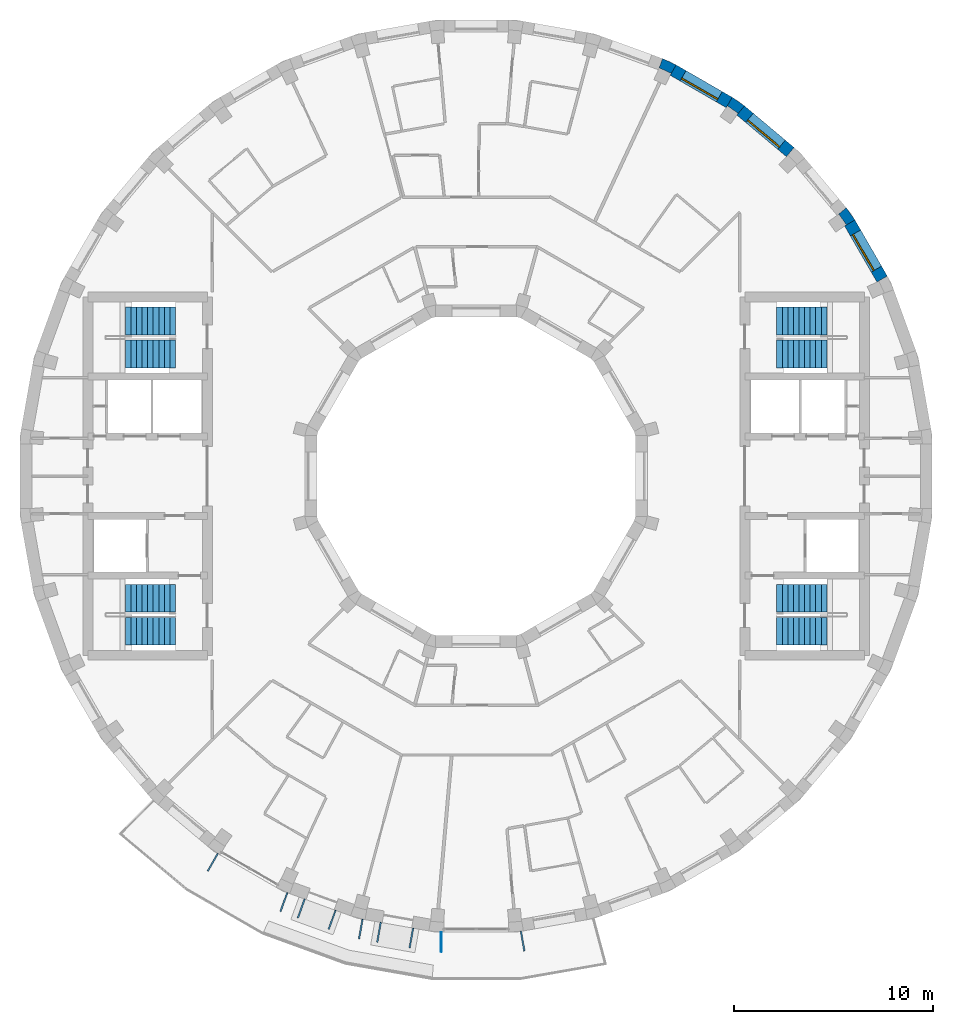
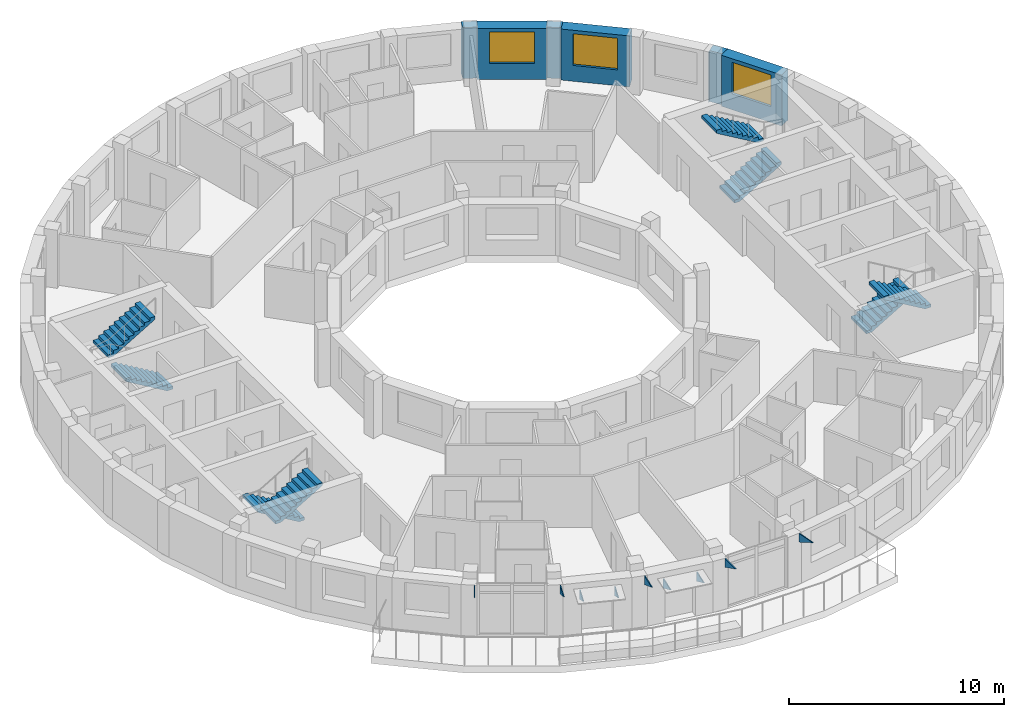
# One storey, part 11 of 12: 9 discrete accessories, 8 stair flights, 6 walls, 3 windows, 3 openings, 4 elements without a shape of their own.
"""IFC4 building model written with IfcOpenShell, lengths in metres."""

from ifc_helpers import new_model, si_unit, direction, frame, frame_2d, origin, place, context, subcontext, project, spatial, polyline, rectangle, outline, extrude, material, layer, layer_set, type_object, element, fill, aggregate, save


model = new_model("IFC4")

# Units and contexts
model_context = context("Model", 3, precision=1e-05, world=origin(), true_north=direction((0.0, 1.0)))
body_context = subcontext(model_context, "Body", "Model", "MODEL_VIEW")
ifc_project = project(units=[si_unit("LENGTHUNIT", "METRE"), si_unit("AREAUNIT", "SQUARE_METRE"), si_unit("VOLUMEUNIT", "CUBIC_METRE"), si_unit("PLANEANGLEUNIT", "RADIAN"), si_unit("MASSUNIT", "GRAM", prefix="KILO")], contexts=[model_context])

# Site, building, storey
site_placement = place(None, origin())
site = spatial("IfcSite", under=ifc_project, at=site_placement, CompositionType="ELEMENT")
building_placement = place(site_placement, origin())
building = spatial("IfcBuilding", under=site, at=building_placement, Name="Saqina Gate Tower", CompositionType="ELEMENT")
storey_placement = place(building_placement, frame((0.0, 0.0, 269.300048828125)))
storey = spatial("IfcBuildingStorey", under=building, at=storey_placement, Name="L77", CompositionType="ELEMENT", Elevation=269.300048828125)

# Walls
ifc_material_1 = material(Name="Brick masonry (buff)", Category="masonry")
wall_type_1 = type_object("IfcWallType", Name="BRICK PIER COPING BUFF", PredefinedType="SOLIDWALL", material=ifc_material_1)
wall_1_placement = place(storey_placement, origin())
element("IfcWall", 1, at=wall_1_placement, inside=storey, type_object=wall_type_1, Name="Pier cap L77 column 4", PredefinedType="SOLIDWALL", context=body_context, shape_type="SweptSolid", body=[
    extrude(outline(polyline([(19.02978515625, 12.8642578125), (18.59716796875, 13.482421875), (18.137451171875, 13.0966796875), (18.22412109375, 13.157470703125), (18.596923828125, 12.625), (18.51025390625, 12.564208984375), (19.02978515625, 12.8642578125)])), origin(), (0.0, 0.0, 1.0), 2.89990234375),
])
wall_2_placement = place(storey_placement, origin())
element("IfcWall", 2, at=wall_2_placement, inside=storey, type_object=wall_type_1, Name="Pier cap L77 column 6", PredefinedType="SOLIDWALL", context=body_context, shape_type="SweptSolid", body=[
    extrude(outline(polyline([(12.8642578125, 19.02978515625), (12.564208984375, 18.51025390625), (12.625, 18.596923828125), (13.157470703125, 18.22412109375), (13.0966796875, 18.137451171875), (13.482421875, 18.59716796875), (12.8642578125, 19.02978515625)])), origin(), (0.0, 0.0, 1.0), 2.89990234375),
])
wall_3_placement = place(storey_placement, origin())
element("IfcWall", 3, at=wall_3_placement, inside=storey, type_object=wall_type_1, Name="Pier cap L77 column 7", PredefinedType="SOLIDWALL", context=body_context, shape_type="SweptSolid", body=[
    extrude(outline(polyline([(10.048095703125, 20.65576171875), (9.3642578125, 20.974609375), (9.1591796875, 20.410888671875), (9.203857421875, 20.506591796875), (9.79296875, 20.23193359375), (9.748291015625, 20.135986328125), (10.048095703125, 20.65576171875)])), origin(), (0.0, 0.0, 1.0), 2.89990234375),
])

# Wall, opening, window
ifc_material_2 = material(Name="Brick masonry (buff)", Category="masonry")
ifc_layer_1 = layer(ifc_material_2, 0.60009765625)
ifc_layer_set_1 = layer_set([ifc_layer_1], Name="FW-BRICK-BUFF")
wall_type_2 = type_object("IfcWallType", Name="FW-BRICK-BUFF", PredefinedType="SOLIDWALL", material=ifc_layer_set_1)
wall_4_placement = place(storey_placement, frame((20.39599609375, 9.898193359375, 0.0), z_axis=(0.0, 0.0, 1.0), x_axis=(-0.500014901547, 0.866016800201, 0.0)))
wall_4 = element("IfcWall", 4, at=wall_4_placement, inside=storey, type_object=wall_type_2, Name="Facade wall L77 facet 3", PredefinedType="SOLIDWALL", context=body_context, shape_type="SweptSolid", body=[
    extrude(rectangle(XDim=3.251953125, YDim=0.60009765625, at=frame_2d((1.6259765625, 0.0))), origin(), (0.0, 0.0, 1.0), 2.89990234375),
])
opening_1_placement = place(wall_4_placement, frame((0.57568359375, 0.0, 0.89990234375)))
opening_1 = element("IfcOpeningElement", 5, at=opening_1_placement, cuts=wall_4, Name="Opening G23-W01", PredefinedType="OPENING", context=body_context, shape_type="SweptSolid", body=[
    extrude(rectangle(XDim=2.10009765625, YDim=1.800048828125, at=frame_2d((1.050048828125, 0.89990234375))), frame((0.0, 0.31201171875, 0.0), z_axis=(0.0, -1.0, 0.0), x_axis=(1.0, 0.0, 0.0)), (0.0, 0.0, 1.0), 0.6240234375),
])
ifc_material_3 = material(Name="Aluminium glazing", Category="aluminium")
window_type = type_object("IfcWindowType", Name="WN-D", PartitioningType="SINGLE_PANEL", PredefinedType="WINDOW", material=ifc_material_3)
window_1_placement = place(opening_1_placement, origin())
window_1 = element("IfcWindow", 6, at=window_1_placement, inside=storey, type_object=window_type, Name="Window L77 facet 3", OverallHeight=1.800048828125, OverallWidth=2.10009765625, PartitioningType="SINGLE_PANEL", PredefinedType="WINDOW", context=body_context, shape_type="SweptSolid", body=[
    extrude(rectangle(XDim=2.10009765625, YDim=1.800048828125, at=frame_2d((1.050048828125, 0.89990234375))), frame((0.0, 0.179931640625, 0.0), z_axis=(0.0, -1.0, 0.0), x_axis=(1.0, 0.0, 0.0)), (0.0, 0.0, 1.0), 0.06005859375),
])
fill(opening_1, window_1)

wall_5_placement = place(storey_placement, frame((15.780517578125, 16.277099609375, 0.0), z_axis=(0.0, 0.0, 1.0), x_axis=(-0.766056773982, 0.64277291405, 0.0)))
wall_5 = element("IfcWall", 7, at=wall_5_placement, inside=storey, type_object=wall_type_2, Name="Facade wall L77 facet 5", PredefinedType="SOLIDWALL", context=body_context, shape_type="SweptSolid", body=[
    extrude(rectangle(XDim=3.251708984375, YDim=0.60009765625, at=frame_2d((1.6259765625, 0.0))), origin(), (0.0, 0.0, 1.0), 2.89990234375),
])
opening_2_placement = place(wall_5_placement, frame((0.57568359375, 0.0, 0.89990234375)))
opening_2 = element("IfcOpeningElement", 8, at=opening_2_placement, cuts=wall_5, Name="Opening G23-W03", PredefinedType="OPENING", context=body_context, shape_type="SweptSolid", body=[
    extrude(rectangle(XDim=2.10009765625, YDim=1.800048828125, at=frame_2d((1.050048828125, 0.89990234375))), frame((0.0, 0.31201171875, 0.0), z_axis=(0.0, -1.0, 0.0), x_axis=(1.0, 0.0, 0.0)), (0.0, 0.0, 1.0), 0.6240234375),
])
window_2_placement = place(opening_2_placement, origin())
window_2 = element("IfcWindow", 9, at=window_2_placement, inside=storey, type_object=window_type, Name="Window L77 facet 5", OverallHeight=1.800048828125, OverallWidth=2.10009765625, PartitioningType="SINGLE_PANEL", PredefinedType="WINDOW", context=body_context, shape_type="SweptSolid", body=[
    extrude(rectangle(XDim=2.10009765625, YDim=1.800048828125, at=frame_2d((1.050048828125, 0.89990234375))), frame((0.0, 0.179931640625, 0.0), z_axis=(0.0, -1.0, 0.0), x_axis=(1.0, 0.0, 0.0)), (0.0, 0.0, 1.0), 0.06005859375),
])
fill(opening_2, window_2)

wall_6_placement = place(storey_placement, frame((12.71435546875, 18.77001953125, 0.0), z_axis=(0.0, 0.0, 1.0), x_axis=(-0.866016800201, 0.500014901547, 0.0)))
wall_6 = element("IfcWall", 10, at=wall_6_placement, inside=storey, type_object=wall_type_2, Name="Facade wall L77 facet 6", PredefinedType="SOLIDWALL", context=body_context, shape_type="SweptSolid", body=[
    extrude(rectangle(XDim=3.251953125, YDim=0.60009765625, at=frame_2d((1.6259765625, 0.0))), origin(), (0.0, 0.0, 1.0), 2.89990234375),
])
opening_3_placement = place(wall_6_placement, frame((0.57568359375, 0.0, 0.89990234375)))
opening_3 = element("IfcOpeningElement", 11, at=opening_3_placement, cuts=wall_6, Name="Opening G23-W04", PredefinedType="OPENING", context=body_context, shape_type="SweptSolid", body=[
    extrude(rectangle(XDim=2.10009765625, YDim=1.800048828125, at=frame_2d((1.050048828125, 0.89990234375))), frame((0.0, 0.31201171875, 0.0), z_axis=(0.0, -1.0, 0.0), x_axis=(1.0, 0.0, 0.0)), (0.0, 0.0, 1.0), 0.6240234375),
])
window_3_placement = place(opening_3_placement, origin())
window_3 = element("IfcWindow", 12, at=window_3_placement, inside=storey, type_object=window_type, Name="Window L77 facet 6", OverallHeight=1.800048828125, OverallWidth=2.10009765625, PartitioningType="SINGLE_PANEL", PredefinedType="WINDOW", context=body_context, shape_type="SweptSolid", body=[
    extrude(rectangle(XDim=2.10009765625, YDim=1.800048828125, at=frame_2d((1.050048828125, 0.89990234375))), frame((0.0, 0.179931640625, 0.0), z_axis=(0.0, -1.0, 0.0), x_axis=(1.0, 0.0, 0.0)), (0.0, 0.0, 1.0), 0.06005859375),
])
fill(opening_3, window_3)

# Stair, stair flights
ifc_material_4 = material(Name="Concrete C40/50", Category="concrete")
stair_type = type_object("IfcStairType", Name="EXIT STAIR", PredefinedType="HALF_TURN_STAIR", material=ifc_material_4)
stair_1_placement = place(storey_placement, origin())
stair_1 = element("IfcStair", 13, at=stair_1_placement, inside=storey, type_object=stair_type, Name="EXIT STAIR 1", PredefinedType="HALF_TURN_STAIR")
ifc_material_5 = material(Name="Concrete C40/50", Category="concrete")
stair_flight_type = type_object("IfcStairFlightType", Name="EXIT STAIR FLIGHT", PredefinedType="STRAIGHT", material=ifc_material_5)
stair_flight_1_placement = place(storey_placement, frame((15.10009765625, 6.13330078125, 0.0), z_axis=(0.0, 0.0, 1.0), x_axis=(1.0, 0.0, 0.0)))
stair_flight_1 = element("IfcStairFlight", 14, at=stair_flight_1_placement, type_object=stair_flight_type, Name="EXIT STAIR 1 FLIGHT 1", NumberOfRisers=10, NumberOfTreads=9, PredefinedType="STRAIGHT", RiserHeight=0.165, TreadLength=0.28, context=body_context, shape_type="SweptSolid", body=[
    extrude(outline(polyline([(0.0, 0.0), (0.0, 0.1650390625), (0.280029296875, 0.1650390625), (0.280029296875, 0.330078125), (0.56005859375, 0.330078125), (0.56005859375, 0.4951171875), (0.840087890625, 0.4951171875), (0.840087890625, 0.659912109375), (1.1201171875, 0.659912109375), (1.1201171875, 0.824951171875), (1.39990234375, 0.824951171875), (1.39990234375, 0.989990234375), (1.679931640625, 0.989990234375), (1.679931640625, 1.155029296875), (1.9599609375, 1.155029296875), (1.9599609375, 1.320068359375), (2.239990234375, 1.320068359375), (2.239990234375, 1.485107421875), (2.52001953125, 1.485107421875), (2.52001953125, 1.64990234375), (2.52001953125, 1.31103515625), (0.295166015625, 0.0), (0.0, 0.0)])), frame((0.0, 0.699951171875, 0.0), z_axis=(0.0, -1.0, 0.0), x_axis=(1.0, 0.0, 0.0)), (0.0, 0.0, 1.0), 1.39990234375),
])
stair_flight_2_placement = place(storey_placement, frame((17.6201171875, 7.791748046875, 1.64990234375), z_axis=(0.0, 0.0, 1.0), x_axis=(-1.0, 0.0, 0.0)))
stair_flight_2 = element("IfcStairFlight", 15, at=stair_flight_2_placement, type_object=stair_flight_type, Name="EXIT STAIR 1 FLIGHT 2", NumberOfRisers=10, NumberOfTreads=9, PredefinedType="STRAIGHT", RiserHeight=0.165, TreadLength=0.28, context=body_context, shape_type="SweptSolid", body=[
    extrude(outline(polyline([(0.0, 0.0), (0.0, 0.1650390625), (0.280029296875, 0.1650390625), (0.280029296875, 0.330078125), (0.56005859375, 0.330078125), (0.56005859375, 0.4951171875), (0.840087890625, 0.4951171875), (0.840087890625, 0.659912109375), (1.1201171875, 0.659912109375), (1.1201171875, 0.824951171875), (1.39990234375, 0.824951171875), (1.39990234375, 0.989990234375), (1.679931640625, 0.989990234375), (1.679931640625, 1.155029296875), (1.9599609375, 1.155029296875), (1.9599609375, 1.320068359375), (2.239990234375, 1.320068359375), (2.239990234375, 1.485107421875), (2.52001953125, 1.485107421875), (2.52001953125, 1.64990234375), (2.52001953125, 1.31103515625), (0.295166015625, 0.0), (0.0, 0.0)])), frame((0.0, 0.699951171875, 0.0), z_axis=(0.0, -1.0, 0.0), x_axis=(1.0, 0.0, 0.0)), (0.0, 0.0, 1.0), 1.39990234375),
])
aggregate(stair_1, [stair_flight_1, stair_flight_2])

stair_2_placement = place(storey_placement, origin())
stair_2 = element("IfcStair", 16, at=stair_2_placement, inside=storey, type_object=stair_type, Name="EXIT STAIR 2", PredefinedType="HALF_TURN_STAIR")
stair_flight_3_placement = place(storey_placement, frame((15.10009765625, -6.13330078125, 0.0), z_axis=(0.0, 0.0, 1.0), x_axis=(1.0, 0.0, 0.0)))
stair_flight_3 = element("IfcStairFlight", 17, at=stair_flight_3_placement, type_object=stair_flight_type, Name="EXIT STAIR 2 FLIGHT 1", NumberOfRisers=10, NumberOfTreads=9, PredefinedType="STRAIGHT", RiserHeight=0.165, TreadLength=0.28, context=body_context, shape_type="SweptSolid", body=[
    extrude(outline(polyline([(0.0, 0.0), (0.0, 0.1650390625), (0.280029296875, 0.1650390625), (0.280029296875, 0.330078125), (0.56005859375, 0.330078125), (0.56005859375, 0.4951171875), (0.840087890625, 0.4951171875), (0.840087890625, 0.659912109375), (1.1201171875, 0.659912109375), (1.1201171875, 0.824951171875), (1.39990234375, 0.824951171875), (1.39990234375, 0.989990234375), (1.679931640625, 0.989990234375), (1.679931640625, 1.155029296875), (1.9599609375, 1.155029296875), (1.9599609375, 1.320068359375), (2.239990234375, 1.320068359375), (2.239990234375, 1.485107421875), (2.52001953125, 1.485107421875), (2.52001953125, 1.64990234375), (2.52001953125, 1.31103515625), (0.295166015625, 0.0), (0.0, 0.0)])), frame((0.0, 0.699951171875, 0.0), z_axis=(0.0, -1.0, 0.0), x_axis=(1.0, 0.0, 0.0)), (0.0, 0.0, 1.0), 1.39990234375),
])
stair_flight_4_placement = place(storey_placement, frame((17.6201171875, -7.791748046875, 1.64990234375), z_axis=(0.0, 0.0, 1.0), x_axis=(-1.0, 0.0, 0.0)))
stair_flight_4 = element("IfcStairFlight", 18, at=stair_flight_4_placement, type_object=stair_flight_type, Name="EXIT STAIR 2 FLIGHT 2", NumberOfRisers=10, NumberOfTreads=9, PredefinedType="STRAIGHT", RiserHeight=0.165, TreadLength=0.28, context=body_context, shape_type="SweptSolid", body=[
    extrude(outline(polyline([(0.0, 0.0), (0.0, 0.1650390625), (0.280029296875, 0.1650390625), (0.280029296875, 0.330078125), (0.56005859375, 0.330078125), (0.56005859375, 0.4951171875), (0.840087890625, 0.4951171875), (0.840087890625, 0.659912109375), (1.1201171875, 0.659912109375), (1.1201171875, 0.824951171875), (1.39990234375, 0.824951171875), (1.39990234375, 0.989990234375), (1.679931640625, 0.989990234375), (1.679931640625, 1.155029296875), (1.9599609375, 1.155029296875), (1.9599609375, 1.320068359375), (2.239990234375, 1.320068359375), (2.239990234375, 1.485107421875), (2.52001953125, 1.485107421875), (2.52001953125, 1.64990234375), (2.52001953125, 1.31103515625), (0.295166015625, 0.0), (0.0, 0.0)])), frame((0.0, 0.699951171875, 0.0), z_axis=(0.0, -1.0, 0.0), x_axis=(1.0, 0.0, 0.0)), (0.0, 0.0, 1.0), 1.39990234375),
])
aggregate(stair_2, [stair_flight_3, stair_flight_4])

stair_3_placement = place(storey_placement, origin())
stair_3 = element("IfcStair", 19, at=stair_3_placement, inside=storey, type_object=stair_type, Name="EXIT STAIR 3", PredefinedType="HALF_TURN_STAIR")
stair_flight_5_placement = place(storey_placement, frame((-15.10009765625, 6.13330078125, 0.0), z_axis=(0.0, 0.0, 1.0), x_axis=(-1.0, 0.0, 0.0)))
stair_flight_5 = element("IfcStairFlight", 20, at=stair_flight_5_placement, type_object=stair_flight_type, Name="EXIT STAIR 3 FLIGHT 1", NumberOfRisers=10, NumberOfTreads=9, PredefinedType="STRAIGHT", RiserHeight=0.165, TreadLength=0.28, context=body_context, shape_type="SweptSolid", body=[
    extrude(outline(polyline([(0.0, 0.0), (0.0, 0.1650390625), (0.280029296875, 0.1650390625), (0.280029296875, 0.330078125), (0.56005859375, 0.330078125), (0.56005859375, 0.4951171875), (0.840087890625, 0.4951171875), (0.840087890625, 0.659912109375), (1.1201171875, 0.659912109375), (1.1201171875, 0.824951171875), (1.39990234375, 0.824951171875), (1.39990234375, 0.989990234375), (1.679931640625, 0.989990234375), (1.679931640625, 1.155029296875), (1.9599609375, 1.155029296875), (1.9599609375, 1.320068359375), (2.239990234375, 1.320068359375), (2.239990234375, 1.485107421875), (2.52001953125, 1.485107421875), (2.52001953125, 1.64990234375), (2.52001953125, 1.31103515625), (0.295166015625, 0.0), (0.0, 0.0)])), frame((0.0, 0.699951171875, 0.0), z_axis=(0.0, -1.0, 0.0), x_axis=(1.0, 0.0, 0.0)), (0.0, 0.0, 1.0), 1.39990234375),
])
stair_flight_6_placement = place(storey_placement, frame((-17.6201171875, 7.791748046875, 1.64990234375), z_axis=(0.0, 0.0, 1.0), x_axis=(1.0, 0.0, 0.0)))
stair_flight_6 = element("IfcStairFlight", 21, at=stair_flight_6_placement, type_object=stair_flight_type, Name="EXIT STAIR 3 FLIGHT 2", NumberOfRisers=10, NumberOfTreads=9, PredefinedType="STRAIGHT", RiserHeight=0.165, TreadLength=0.28, context=body_context, shape_type="SweptSolid", body=[
    extrude(outline(polyline([(0.0, 0.0), (0.0, 0.1650390625), (0.280029296875, 0.1650390625), (0.280029296875, 0.330078125), (0.56005859375, 0.330078125), (0.56005859375, 0.4951171875), (0.840087890625, 0.4951171875), (0.840087890625, 0.659912109375), (1.1201171875, 0.659912109375), (1.1201171875, 0.824951171875), (1.39990234375, 0.824951171875), (1.39990234375, 0.989990234375), (1.679931640625, 0.989990234375), (1.679931640625, 1.155029296875), (1.9599609375, 1.155029296875), (1.9599609375, 1.320068359375), (2.239990234375, 1.320068359375), (2.239990234375, 1.485107421875), (2.52001953125, 1.485107421875), (2.52001953125, 1.64990234375), (2.52001953125, 1.31103515625), (0.295166015625, 0.0), (0.0, 0.0)])), frame((0.0, 0.699951171875, 0.0), z_axis=(0.0, -1.0, 0.0), x_axis=(1.0, 0.0, 0.0)), (0.0, 0.0, 1.0), 1.39990234375),
])
aggregate(stair_3, [stair_flight_5, stair_flight_6])

stair_4_placement = place(storey_placement, origin())
stair_4 = element("IfcStair", 22, at=stair_4_placement, inside=storey, type_object=stair_type, Name="EXIT STAIR 4", PredefinedType="HALF_TURN_STAIR")
stair_flight_7_placement = place(storey_placement, frame((-15.10009765625, -6.13330078125, 0.0), z_axis=(0.0, 0.0, 1.0), x_axis=(-1.0, 0.0, 0.0)))
stair_flight_7 = element("IfcStairFlight", 23, at=stair_flight_7_placement, type_object=stair_flight_type, Name="EXIT STAIR 4 FLIGHT 1", NumberOfRisers=10, NumberOfTreads=9, PredefinedType="STRAIGHT", RiserHeight=0.165, TreadLength=0.28, context=body_context, shape_type="SweptSolid", body=[
    extrude(outline(polyline([(0.0, 0.0), (0.0, 0.1650390625), (0.280029296875, 0.1650390625), (0.280029296875, 0.330078125), (0.56005859375, 0.330078125), (0.56005859375, 0.4951171875), (0.840087890625, 0.4951171875), (0.840087890625, 0.659912109375), (1.1201171875, 0.659912109375), (1.1201171875, 0.824951171875), (1.39990234375, 0.824951171875), (1.39990234375, 0.989990234375), (1.679931640625, 0.989990234375), (1.679931640625, 1.155029296875), (1.9599609375, 1.155029296875), (1.9599609375, 1.320068359375), (2.239990234375, 1.320068359375), (2.239990234375, 1.485107421875), (2.52001953125, 1.485107421875), (2.52001953125, 1.64990234375), (2.52001953125, 1.31103515625), (0.295166015625, 0.0), (0.0, 0.0)])), frame((0.0, 0.699951171875, 0.0), z_axis=(0.0, -1.0, 0.0), x_axis=(1.0, 0.0, 0.0)), (0.0, 0.0, 1.0), 1.39990234375),
])
stair_flight_8_placement = place(storey_placement, frame((-17.6201171875, -7.791748046875, 1.64990234375), z_axis=(0.0, 0.0, 1.0), x_axis=(1.0, 0.0, 0.0)))
stair_flight_8 = element("IfcStairFlight", 24, at=stair_flight_8_placement, type_object=stair_flight_type, Name="EXIT STAIR 4 FLIGHT 2", NumberOfRisers=10, NumberOfTreads=9, PredefinedType="STRAIGHT", RiserHeight=0.165, TreadLength=0.28, context=body_context, shape_type="SweptSolid", body=[
    extrude(outline(polyline([(0.0, 0.0), (0.0, 0.1650390625), (0.280029296875, 0.1650390625), (0.280029296875, 0.330078125), (0.56005859375, 0.330078125), (0.56005859375, 0.4951171875), (0.840087890625, 0.4951171875), (0.840087890625, 0.659912109375), (1.1201171875, 0.659912109375), (1.1201171875, 0.824951171875), (1.39990234375, 0.824951171875), (1.39990234375, 0.989990234375), (1.679931640625, 0.989990234375), (1.679931640625, 1.155029296875), (1.9599609375, 1.155029296875), (1.9599609375, 1.320068359375), (2.239990234375, 1.320068359375), (2.239990234375, 1.485107421875), (2.52001953125, 1.485107421875), (2.52001953125, 1.64990234375), (2.52001953125, 1.31103515625), (0.295166015625, 0.0), (0.0, 0.0)])), frame((0.0, 0.699951171875, 0.0), z_axis=(0.0, -1.0, 0.0), x_axis=(1.0, 0.0, 0.0)), (0.0, 0.0, 1.0), 1.39990234375),
])
aggregate(stair_4, [stair_flight_7, stair_flight_8])

# Discrete accessories
ifc_material_6 = material(Name="Galvanised steel", Category="steel")
ifc_layer_2 = layer(ifc_material_6, 0.050048828125)
ifc_layer_set_2 = layer_set([ifc_layer_2], Name="BR-AWNING")
discrete_accessory_type_1 = type_object("IfcDiscreteAccessoryType", Name="BR-AWNING", PredefinedType="BRACKET", material=ifc_layer_set_2)
discrete_accessory_1_placement = place(storey_placement, frame((-8.589111328125, -21.2568359375, 1.974853515625), z_axis=(0.939686455819, -0.342037080957, 0.0), x_axis=(0.0, 0.0, 1.0)))
element("IfcDiscreteAccessory", 25, at=discrete_accessory_1_placement, inside=storey, type_object=discrete_accessory_type_1, Name="Awning bracket L77 facet 25", PredefinedType="BRACKET", context=body_context, shape_type="SweptSolid", body=[
    extrude(outline(polyline([(0.0, 0.0), (0.550048828125, 0.0), (0.550048828125, 1.000011503630275), (0.0, 0.0)])), origin(), (0.0, 0.0, -1.0), 0.050048828125),
])
discrete_accessory_2_placement = place(storey_placement, frame((-7.037109375, -21.82177734375, 1.974853515625), z_axis=(0.939764905391, -0.341821477669, 0.0), x_axis=(0.0, 0.0, 1.0)))
element("IfcDiscreteAccessory", 26, at=discrete_accessory_2_placement, inside=storey, type_object=discrete_accessory_type_1, Name="Awning bracket L77 facet 25", PredefinedType="BRACKET", context=body_context, shape_type="SweptSolid", body=[
    extrude(outline(polyline([(0.0, 0.0), (0.550048828125, 0.0), (0.550048828125, 0.9999280248012192), (0.0, 0.0)])), origin(), (0.0, 0.0, -1.0), 0.050048828125),
])
for number, where, z_axis, x_axis, name in (
    (27, (-4.767333984375, -22.42529296875, 1.974853515625), (0.984820401928, -0.173576426815, 0.0), (0.0, 0.0, 1.0), "Awning bracket L77 facet 26"),
    (28, (-3.140869140625, -22.712158203125, 1.974853515625), (0.984820401928, -0.173576426815, 0.0), (0.0, 0.0, 1.0), "Awning bracket L77 facet 26"),
):
    element("IfcDiscreteAccessory", number, at=place(storey_placement, frame(where, z_axis=z_axis, x_axis=x_axis)), inside=storey, type_object=discrete_accessory_type_1, Name=name, PredefinedType="BRACKET", context=body_context, shape_type="SweptSolid", body=[
        extrude(outline(polyline([(0.0, 0.0), (0.550048828125, 0.0), (0.550048828125, 1.000043540245132), (0.0, 0.0)])), origin(), (0.0, 0.0, -1.0), 0.050048828125),
    ])
ifc_material_7 = material(Name="Galvanised steel", Category="steel")
ifc_layer_3 = layer(ifc_material_7, 0.050048828125)
ifc_layer_set_3 = layer_set([ifc_layer_3], Name="BR-GUSSET")
discrete_accessory_type_2 = type_object("IfcDiscreteAccessoryType", Name="BR-GUSSET", PredefinedType="BRACKET", material=ifc_layer_set_3)
discrete_accessory_3_placement = place(storey_placement, frame((-12.9541015625, -18.97802734375, 2.39990234375), z_axis=(0.866010750942, -0.50002537861, 0.0), x_axis=(0.0, 0.0, 1.0)))
element("IfcDiscreteAccessory", 29, at=discrete_accessory_3_placement, inside=storey, type_object=discrete_accessory_type_2, Name="Terrace slab bracket L78 1", PredefinedType="BRACKET", context=body_context, shape_type="SweptSolid", body=[
    extrude(outline(polyline([(0.0, 0.0), (0.5, 0.0), (0.5, 0.9999492453569568), (0.0, 0.0)])), origin(), (0.0, 0.0, -1.0), 0.050048828125),
])
discrete_accessory_4_placement = place(storey_placement, frame((-9.4619140625, -20.939208984375, 2.39990234375), z_axis=(0.939764905391, -0.341821477669, 0.0), x_axis=(0.0, 0.0, 1.0)))
element("IfcDiscreteAccessory", 30, at=discrete_accessory_4_placement, inside=storey, type_object=discrete_accessory_type_2, Name="Terrace slab bracket L78 2", PredefinedType="BRACKET", context=body_context, shape_type="SweptSolid", body=[
    extrude(outline(polyline([(0.0, 0.0), (0.5, 0.0), (0.5, 0.999928024801219), (0.0, 0.0)])), origin(), (0.0, 0.0, -1.0), 0.050048828125),
])
discrete_accessory_5_placement = place(storey_placement, frame((-5.681884765625, -22.263916015625, 2.39990234375), z_axis=(0.984778643263, -0.173813186416, 0.0), x_axis=(0.0, 0.0, 1.0)))
element("IfcDiscreteAccessory", 31, at=discrete_accessory_5_placement, inside=storey, type_object=discrete_accessory_type_2, Name="Terrace slab bracket L78 3", PredefinedType="BRACKET", context=body_context, shape_type="SweptSolid", body=[
    extrude(outline(polyline([(0.0, 0.0), (0.5, 0.0), (0.5, 1.000085946204391), (0.0, 0.0)])), origin(), (0.0, 0.0, -1.0), 0.050048828125),
])
discrete_accessory_6_placement = place(storey_placement, frame((-1.7294921875, -22.91259765625, 2.39990234375), z_axis=(1.0, 0.0, 0.0), x_axis=(0.0, 0.0, 1.0)))
element("IfcDiscreteAccessory", 32, at=discrete_accessory_6_placement, inside=storey, type_object=discrete_accessory_type_2, Name="Terrace slab bracket L78 4", PredefinedType="BRACKET", context=body_context, shape_type="SweptSolid", body=[
    extrude(outline(polyline([(0.0, 0.0), (0.5, 0.0), (0.5, 1.0), (0.0, 0.0)])), origin(), (0.0, 0.0, -1.0), 0.050048828125),
])
discrete_accessory_7_placement = place(storey_placement, frame((2.275390625, -22.86474609375, 2.39990234375), z_axis=(0.984778643263, 0.173813186416, 0.0), x_axis=(0.0, 0.0, 1.0)))
element("IfcDiscreteAccessory", 33, at=discrete_accessory_7_placement, inside=storey, type_object=discrete_accessory_type_2, Name="Terrace slab bracket L78 5", PredefinedType="BRACKET", context=body_context, shape_type="SweptSolid", body=[
    extrude(outline(polyline([(0.0, 0.0), (0.5, 0.0), (0.5, 1.000085946204391), (0.0, 0.0)])), origin(), (0.0, 0.0, -1.0), 0.050048828125),
])

save(model, "model.ifc")
